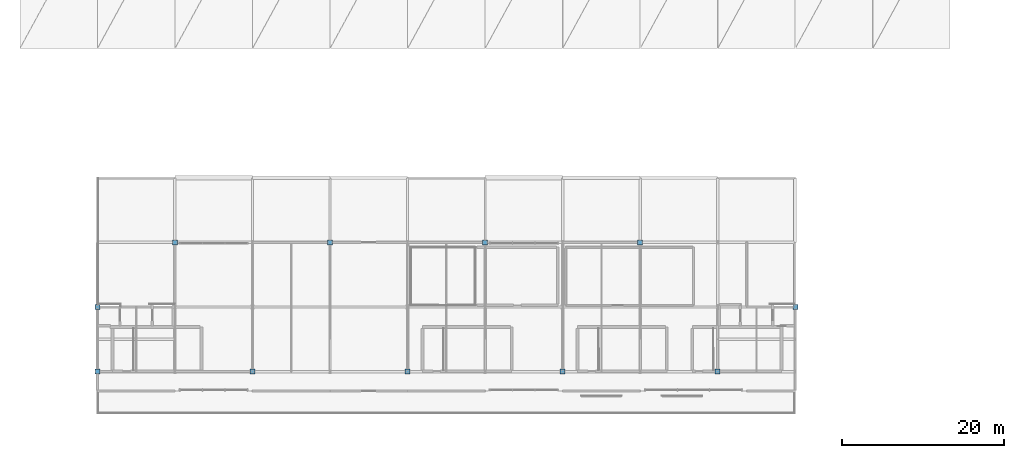
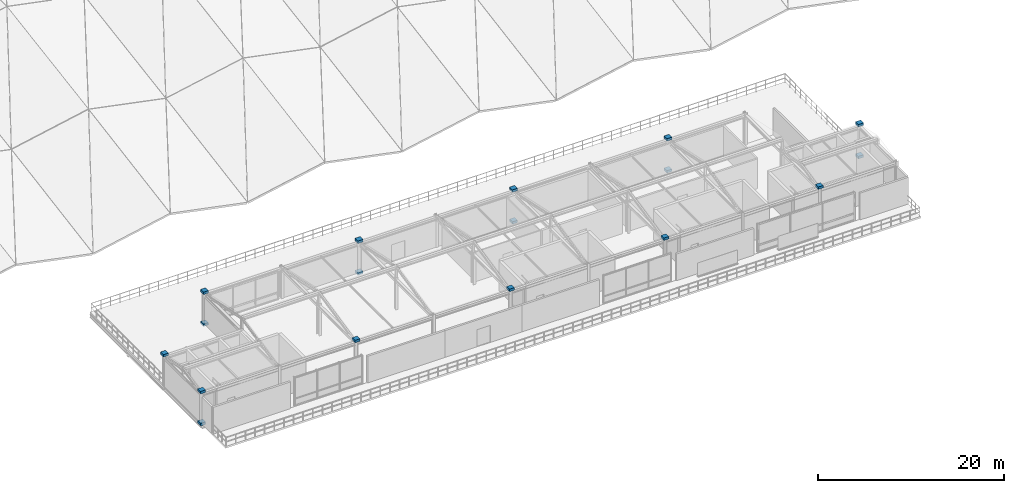
# One storey, part 22 of 26: 17 discrete accessories.
"""IFC4 building model written with IfcOpenShell, lengths in metres."""

from ifc_helpers import new_model, si_unit, direction, frame, origin, origin_2d, place, context, subcontext, project, spatial, rectangle, extrude, material, type_object, element, save


model = new_model("IFC4")

# Units and contexts
model_context = context("Model", 3, precision=1e-05, world=origin(), true_north=direction((0.0, 1.0)))
body_context = subcontext(model_context, "Body", "Model", "MODEL_VIEW")
ifc_project = project(units=[si_unit("LENGTHUNIT", "METRE"), si_unit("AREAUNIT", "SQUARE_METRE"), si_unit("VOLUMEUNIT", "CUBIC_METRE"), si_unit("PLANEANGLEUNIT", "RADIAN"), si_unit("MASSUNIT", "GRAM", prefix="KILO")], contexts=[model_context])

# Site, building, storey
site_placement = place(None, origin())
site = spatial("IfcSite", under=ifc_project, at=site_placement, CompositionType="ELEMENT")
building_placement = place(site_placement, origin())
building = spatial("IfcBuilding", under=site, at=building_placement, Name="Danafjord Basin Convention Centre", CompositionType="ELEMENT")
storey_placement = place(building_placement, frame((0.0, 0.0, 29.39990234375)))
storey = spatial("IfcBuildingStorey", under=building, at=storey_placement, Name="RF", CompositionType="ELEMENT", Elevation=29.39990234375)

# Discrete accessories
ifc_material = material(Name="Steel S355", Category="steel")
discrete_accessory_type = type_object("IfcDiscreteAccessoryType", Name="ACC-SF-HUB", PredefinedType="BRACKET", material=ifc_material)
for number, where, z_axis, x_axis, name in (
    (1, (9.60009765625, 16.0, -0.16015625), (0.0, 0.0, 1.0), (1.0, 0.0, 0.0), "Tubular steel column transition collar"),
    (2, (9.60009765625, 16.0, 4.0400390625), (0.0, 0.0, 1.0), (1.0, 0.0, 0.0), "Tubular steel column top cap plate"),
    (3, (9.60009765625, 24.0, 4.0400390625), (0.0, 0.0, 1.0), (1.0, 0.0, 0.0), "Tubular steel column top cap plate"),
    (4, (19.199951171875, 32.0, -0.16015625), (0.0, 0.0, 1.0), (1.0, 0.0, 0.0), "Tubular steel column transition collar"),
    (5, (19.199951171875, 32.0, 4.0400390625), (0.0, 0.0, 1.0), (1.0, 0.0, 0.0), "Tubular steel column top cap plate"),
    (6, (28.800048828125, 16.0, 4.0400390625), (0.0, 0.0, 1.0), (1.0, 0.0, 0.0), "Tubular steel column top cap plate"),
    (7, (38.39990234375, 32.0, -0.16015625), (0.0, 0.0, 1.0), (1.0, 0.0, 0.0), "Tubular steel column transition collar"),
    (8, (38.39990234375, 32.0, 4.0400390625), (0.0, 0.0, 1.0), (1.0, 0.0, 0.0), "Tubular steel column top cap plate"),
    (9, (48.0, 16.0, 4.0400390625), (0.0, 0.0, 1.0), (1.0, 0.0, 0.0), "Tubular steel column top cap plate"),
    (10, (57.60009765625, 32.0, -0.16015625), (0.0, 0.0, 1.0), (1.0, 0.0, 0.0), "Tubular steel column transition collar"),
    (11, (57.60009765625, 32.0, 4.0400390625), (0.0, 0.0, 1.0), (1.0, 0.0, 0.0), "Tubular steel column top cap plate"),
    (12, (67.199951171875, 16.0, 4.0400390625), (0.0, 0.0, 1.0), (1.0, 0.0, 0.0), "Tubular steel column top cap plate"),
    (13, (76.800048828125, 32.0, -0.16015625), (0.0, 0.0, 1.0), (1.0, 0.0, 0.0), "Tubular steel column transition collar"),
    (14, (76.800048828125, 32.0, 4.0400390625), (0.0, 0.0, 1.0), (1.0, 0.0, 0.0), "Tubular steel column top cap plate"),
    (15, (86.39990234375, 16.0, 4.0400390625), (0.0, 0.0, 1.0), (1.0, 0.0, 0.0), "Tubular steel column top cap plate"),
    (16, (96.0, 24.0, -0.16015625), (0.0, 0.0, 1.0), (1.0, 0.0, 0.0), "Tubular steel column transition collar"),
    (17, (96.0, 24.0, 4.0400390625), (0.0, 0.0, 1.0), (1.0, 0.0, 0.0), "Tubular steel column top cap plate"),
):
    element("IfcDiscreteAccessory", number, at=place(storey_placement, frame(where, z_axis=z_axis, x_axis=x_axis)), inside=storey, type_object=discrete_accessory_type, Name=name, PredefinedType="BRACKET", context=body_context, shape_type="SweptSolid", body=[
        extrude(rectangle(XDim=0.6201171875, YDim=0.6201171875, at=origin_2d()), origin(), (0.0, 0.0, 1.0), 0.320068359375),
    ])

save(model, "model.ifc")
